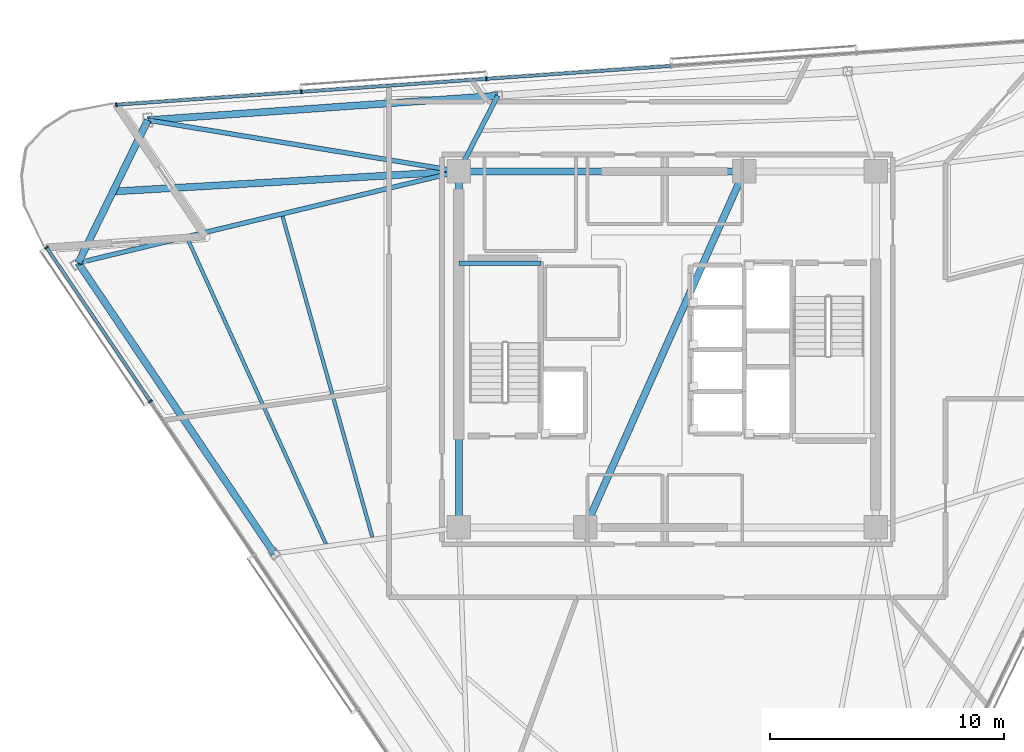
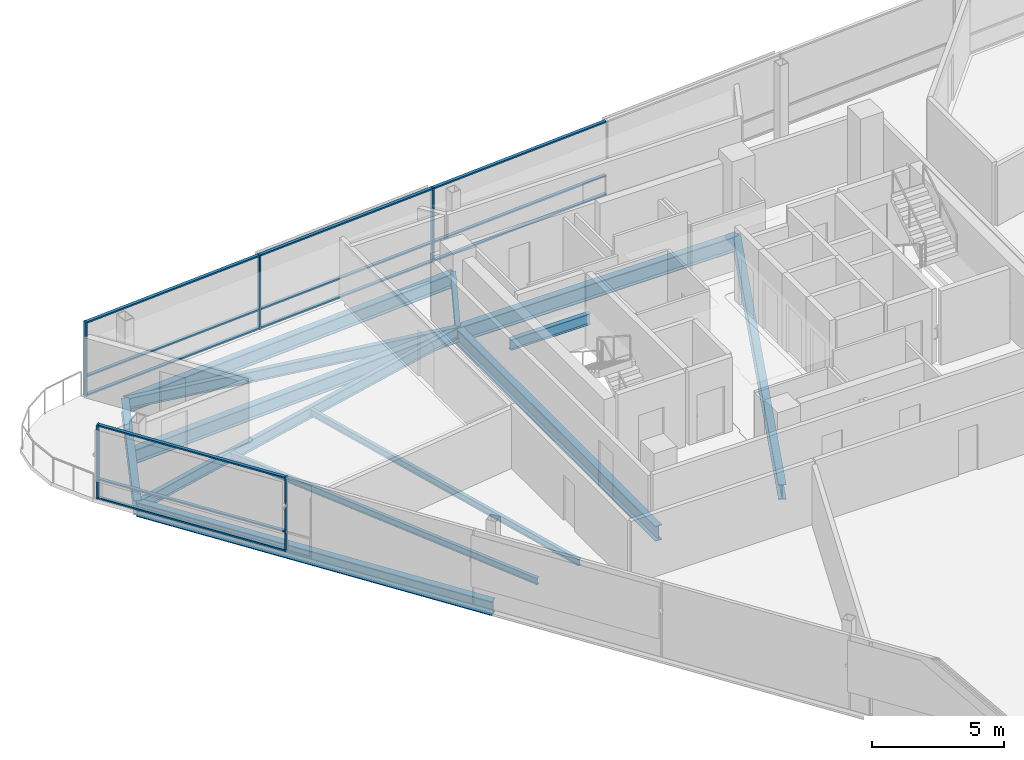
# One storey, part 5 of 16: 17 members, 13 beams, 2 elements without a shape of their own.
"""IFC4 building model written with IfcOpenShell, lengths in metres."""

from ifc_helpers import new_model, si_unit, direction, frame, origin, origin_2d, place, context, subcontext, project, spatial, rectangle, i_section, extrude, material, layer, layer_set, material_profile, profile_set, type_object, element, aggregate, save


model = new_model("IFC4")

# Units and contexts
model_context = context("Model", 3, precision=1e-05, world=origin(), true_north=direction((0.0, 1.0)))
body_context = subcontext(model_context, "Body", "Model", "MODEL_VIEW")
ifc_project = project(units=[si_unit("LENGTHUNIT", "METRE"), si_unit("AREAUNIT", "SQUARE_METRE"), si_unit("VOLUMEUNIT", "CUBIC_METRE"), si_unit("PLANEANGLEUNIT", "RADIAN"), si_unit("MASSUNIT", "GRAM", prefix="KILO")], contexts=[model_context])

# Site, building, storey
site_placement = place(None, origin())
site = spatial("IfcSite", under=ifc_project, at=site_placement, CompositionType="ELEMENT")
building_placement = place(site_placement, origin())
building = spatial("IfcBuilding", under=site, at=building_placement, Name="Tharavind Bronze Gate", CompositionType="ELEMENT")
storey_placement = place(building_placement, frame((0.0, 0.0, 257.0)))
storey = spatial("IfcBuildingStorey", under=building, at=storey_placement, Name="L66", CompositionType="ELEMENT", Elevation=257.0)

# Curtain wall, members
ifc_material_1 = material(Name="Anodised Bronze Aluminium", Category="aluminium")
ifc_layer = layer(ifc_material_1, 0.219970703125)
ifc_layer_set = layer_set([ifc_layer], Name="Anodised Bronze Aluminium")
curtain_wall_type = type_object("IfcCurtainWallType", Name="UNITISED CURTAIN WALL UPPER OFFICE", PredefinedType="USERDEFINED", material=ifc_layer_set)
curtain_wall_1_placement = place(storey_placement, origin())
curtain_wall_1 = element("IfcCurtainWall", 1, at=curtain_wall_1_placement, inside=storey, type_object=curtain_wall_type, Name="L66 unitised curtain wall upper office CW-L66-S1", ObjectType="UNITISED CURTAIN WALL", PredefinedType="USERDEFINED")
member_type_1 = type_object("IfcMemberType", Name="CURTAIN WALL BRONZE MULLION 65X180", PredefinedType="MULLION", material=ifc_material_1)
member_1_placement = place(storey_placement, frame((-26.498046875, 4.352294921875, 0.0), z_axis=(0.0, 0.0, 1.0), x_axis=(0.559191456526, -0.82903854853, 0.0)))
member_1 = element("IfcMember", 2, at=member_1_placement, type_object=member_type_1, Name="CW-L66-S1 mullion 1", PredefinedType="MULLION", context=body_context, shape_type="SweptSolid", body=[
    extrude(rectangle(XDim=0.06494140625, YDim=0.179931640625, at=origin_2d()), origin(), (0.0, 0.0, 1.0), 3.419921875),
])
member_2_placement = place(storey_placement, frame((-22.069091796875, -2.214111328125, 0.0), z_axis=(0.0, 0.0, 1.0), x_axis=(0.559191456526, -0.82903854853, 0.0)))
member_2 = element("IfcMember", 3, at=member_2_placement, type_object=member_type_1, Name="CW-L66-S1 mullion 2", PredefinedType="MULLION", context=body_context, shape_type="SweptSolid", body=[
    extrude(rectangle(XDim=0.06494140625, YDim=0.179931640625, at=origin_2d()), origin(), (0.0, 0.0, 1.0), 3.419921875),
])

curtain_wall_2_placement = place(storey_placement, origin())
curtain_wall_2 = element("IfcCurtainWall", 4, at=curtain_wall_2_placement, inside=storey, type_object=curtain_wall_type, Name="L66 unitised curtain wall upper office CW-L66-S3", ObjectType="UNITISED CURTAIN WALL", PredefinedType="USERDEFINED")
member_3_placement = place(storey_placement, frame((-7.7236328125, 11.551025390625, 0.0), z_axis=(0.0, 0.0, 1.0), x_axis=(-0.997563806758, -0.069759955899, 0.0)))
member_3 = element("IfcMember", 5, at=member_3_placement, type_object=member_type_1, Name="CW-L66-S3 mullion 5", PredefinedType="MULLION", context=body_context, shape_type="SweptSolid", body=[
    extrude(rectangle(XDim=0.06494140625, YDim=0.179931640625, at=origin_2d()), origin(), (0.0, 0.0, 1.0), 3.419921875),
])
member_4_placement = place(storey_placement, frame((-15.624755859375, 10.99853515625, 0.0), z_axis=(0.0, 0.0, 1.0), x_axis=(-0.997563806758, -0.069759955899, 0.0)))
member_4 = element("IfcMember", 6, at=member_4_placement, type_object=member_type_1, Name="CW-L66-S3 mullion 6", PredefinedType="MULLION", context=body_context, shape_type="SweptSolid", body=[
    extrude(rectangle(XDim=0.06494140625, YDim=0.179931640625, at=origin_2d()), origin(), (0.0, 0.0, 1.0), 3.419921875),
])
member_5_placement = place(storey_placement, frame((-23.52587890625, 10.446044921875, 0.0), z_axis=(0.0, 0.0, 1.0), x_axis=(-0.997563806758, -0.069759955899, 0.0)))
member_5 = element("IfcMember", 7, at=member_5_placement, type_object=member_type_1, Name="CW-L66-S3 mullion 7", PredefinedType="MULLION", context=body_context, shape_type="SweptSolid", body=[
    extrude(rectangle(XDim=0.06494140625, YDim=0.179931640625, at=origin_2d()), origin(), (0.0, 0.0, 1.0), 3.419921875),
])

# Member
member_type_2 = type_object("IfcMemberType", Name="CURTAIN WALL BRONZE TRANSOM 65X140", PredefinedType="USERDEFINED", material=ifc_material_1)
member_6_placement = place(storey_placement, frame((-24.283447265625, 1.069091796875, 0.0), z_axis=(0.0, 0.0, 1.0), x_axis=(0.559191456526, -0.82903854853, 0.0)))
member_6 = element("IfcMember", 8, at=member_6_placement, type_object=member_type_2, Name="CW-L66-S1 transom TB1", ObjectType="TRANSOM", PredefinedType="USERDEFINED", context=body_context, shape_type="SweptSolid", body=[
    extrude(rectangle(XDim=7.8671875, YDim=0.139892578125, at=origin_2d()), origin(), (0.0, 0.0, 1.0), 0.06494140625),
])

member_7_placement = place(storey_placement, frame((-24.283447265625, 1.069091796875, 0.867431640625), z_axis=(0.0, 0.0, 1.0), x_axis=(0.559191456526, -0.82903854853, 0.0)))
member_7 = element("IfcMember", 9, at=member_7_placement, type_object=member_type_2, Name="CW-L66-S1 transom TS1", ObjectType="TRANSOM", PredefinedType="USERDEFINED", context=body_context, shape_type="SweptSolid", body=[
    extrude(rectangle(XDim=7.8671875, YDim=0.139892578125, at=origin_2d()), origin(), (0.0, 0.0, 1.0), 0.06494140625),
])

member_8_placement = place(storey_placement, frame((-24.283447265625, 1.069091796875, 3.35498046875), z_axis=(0.0, 0.0, 1.0), x_axis=(0.559191456526, -0.82903854853, 0.0)))
member_8 = element("IfcMember", 10, at=member_8_placement, type_object=member_type_2, Name="CW-L66-S1 transom TT1", ObjectType="TRANSOM", PredefinedType="USERDEFINED", context=body_context, shape_type="SweptSolid", body=[
    extrude(rectangle(XDim=7.8671875, YDim=0.139892578125, at=origin_2d()), origin(), (0.0, 0.0, 1.0), 0.06494140625),
])

aggregate(curtain_wall_1, [member_1, member_2, member_6, member_7, member_8])

member_9_placement = place(storey_placement, frame((-3.773193359375, 11.827392578125, 0.0), z_axis=(0.0, 0.0, 1.0), x_axis=(-0.997563806758, -0.069759955899, 0.0)))
member_9 = element("IfcMember", 11, at=member_9_placement, type_object=member_type_2, Name="CW-L66-S3 transom TB4", ObjectType="TRANSOM", PredefinedType="USERDEFINED", context=body_context, shape_type="SweptSolid", body=[
    extrude(rectangle(XDim=7.8671875, YDim=0.139892578125, at=origin_2d()), origin(), (0.0, 0.0, 1.0), 0.06494140625),
])

member_10_placement = place(storey_placement, frame((-3.773193359375, 11.827392578125, 0.867431640625), z_axis=(0.0, 0.0, 1.0), x_axis=(-0.997563806758, -0.069759955899, 0.0)))
member_10 = element("IfcMember", 12, at=member_10_placement, type_object=member_type_2, Name="CW-L66-S3 transom TS4", ObjectType="TRANSOM", PredefinedType="USERDEFINED", context=body_context, shape_type="SweptSolid", body=[
    extrude(rectangle(XDim=7.8671875, YDim=0.139892578125, at=origin_2d()), origin(), (0.0, 0.0, 1.0), 0.06494140625),
])

member_11_placement = place(storey_placement, frame((-3.773193359375, 11.827392578125, 3.35498046875), z_axis=(0.0, 0.0, 1.0), x_axis=(-0.997563806758, -0.069759955899, 0.0)))
member_11 = element("IfcMember", 13, at=member_11_placement, type_object=member_type_2, Name="CW-L66-S3 transom TT4", ObjectType="TRANSOM", PredefinedType="USERDEFINED", context=body_context, shape_type="SweptSolid", body=[
    extrude(rectangle(XDim=7.8671875, YDim=0.139892578125, at=origin_2d()), origin(), (0.0, 0.0, 1.0), 0.06494140625),
])

member_12_placement = place(storey_placement, frame((-11.67431640625, 11.27490234375, 0.0), z_axis=(0.0, 0.0, 1.0), x_axis=(-0.997563806758, -0.069759955899, 0.0)))
member_12 = element("IfcMember", 14, at=member_12_placement, type_object=member_type_2, Name="CW-L66-S3 transom TB5", ObjectType="TRANSOM", PredefinedType="USERDEFINED", context=body_context, shape_type="SweptSolid", body=[
    extrude(rectangle(XDim=7.8671875, YDim=0.139892578125, at=origin_2d()), origin(), (0.0, 0.0, 1.0), 0.06494140625),
])

member_13_placement = place(storey_placement, frame((-11.67431640625, 11.27490234375, 0.867431640625), z_axis=(0.0, 0.0, 1.0), x_axis=(-0.997563806758, -0.069759955899, 0.0)))
member_13 = element("IfcMember", 15, at=member_13_placement, type_object=member_type_2, Name="CW-L66-S3 transom TS5", ObjectType="TRANSOM", PredefinedType="USERDEFINED", context=body_context, shape_type="SweptSolid", body=[
    extrude(rectangle(XDim=7.8671875, YDim=0.139892578125, at=origin_2d()), origin(), (0.0, 0.0, 1.0), 0.06494140625),
])

member_14_placement = place(storey_placement, frame((-11.67431640625, 11.27490234375, 3.35498046875), z_axis=(0.0, 0.0, 1.0), x_axis=(-0.997563806758, -0.069759955899, 0.0)))
member_14 = element("IfcMember", 16, at=member_14_placement, type_object=member_type_2, Name="CW-L66-S3 transom TT5", ObjectType="TRANSOM", PredefinedType="USERDEFINED", context=body_context, shape_type="SweptSolid", body=[
    extrude(rectangle(XDim=7.8671875, YDim=0.139892578125, at=origin_2d()), origin(), (0.0, 0.0, 1.0), 0.06494140625),
])

member_15_placement = place(storey_placement, frame((-19.5751953125, 10.722412109375, 0.0), z_axis=(0.0, 0.0, 1.0), x_axis=(-0.997563806758, -0.069759955899, 0.0)))
member_15 = element("IfcMember", 17, at=member_15_placement, type_object=member_type_2, Name="CW-L66-S3 transom TB6", ObjectType="TRANSOM", PredefinedType="USERDEFINED", context=body_context, shape_type="SweptSolid", body=[
    extrude(rectangle(XDim=7.8671875, YDim=0.139892578125, at=origin_2d()), origin(), (0.0, 0.0, 1.0), 0.06494140625),
])

member_16_placement = place(storey_placement, frame((-19.5751953125, 10.722412109375, 0.867431640625), z_axis=(0.0, 0.0, 1.0), x_axis=(-0.997563806758, -0.069759955899, 0.0)))
member_16 = element("IfcMember", 18, at=member_16_placement, type_object=member_type_2, Name="CW-L66-S3 transom TS6", ObjectType="TRANSOM", PredefinedType="USERDEFINED", context=body_context, shape_type="SweptSolid", body=[
    extrude(rectangle(XDim=7.8671875, YDim=0.139892578125, at=origin_2d()), origin(), (0.0, 0.0, 1.0), 0.06494140625),
])

member_17_placement = place(storey_placement, frame((-19.5751953125, 10.722412109375, 3.35498046875), z_axis=(0.0, 0.0, 1.0), x_axis=(-0.997563806758, -0.069759955899, 0.0)))
member_17 = element("IfcMember", 19, at=member_17_placement, type_object=member_type_2, Name="CW-L66-S3 transom TT6", ObjectType="TRANSOM", PredefinedType="USERDEFINED", context=body_context, shape_type="SweptSolid", body=[
    extrude(rectangle(XDim=7.8671875, YDim=0.139892578125, at=origin_2d()), origin(), (0.0, 0.0, 1.0), 0.06494140625),
])

aggregate(curtain_wall_2, [member_3, member_4, member_5, member_9, member_10, member_11, member_12, member_13, member_14, member_15, member_16, member_17])

# Beams
ifc_material_2 = material(Name="Steel S355", Category="steel")
ifc_material_profile_1 = material_profile(ifc_material_2, i_section(OverallWidth=0.300048828125, OverallDepth=0.64990234375, WebThickness=0.01611328125, FlangeThickness=0.031005859375, at=origin_2d()), Name="HE650B")
ifc_profile_set_1 = profile_set([ifc_material_profile_1], Name="Steel S355")
beam_type_1 = type_object("IfcBeamType", Name="PRIMARY GIRDER HE650B", PredefinedType="USERDEFINED", material=ifc_profile_set_1)
beam_1_placement = place(storey_placement, frame((-25.14990234375, 3.694580078125, -0.5048828125), z_axis=(0.559195614283, -0.829035744083, 0.0), x_axis=(0.829035744083, 0.559195614283, 0.0)))
element("IfcBeam", 20, at=beam_1_placement, inside=storey, type_object=beam_type_1, Name="L66 primary girder he650b BM-L66-PRG01", ObjectType="GIRDER", PredefinedType="USERDEFINED", context=body_context, shape_type="SweptSolid", body=[
    extrude(i_section(OverallWidth=0.300048828125, OverallDepth=0.64990234375, WebThickness=0.01611328125, FlangeThickness=0.031005859375, at=origin_2d()), origin(), (0.0, 0.0, 1.0), 14.974609375),
])
beam_2_placement = place(storey_placement, frame((-7.239501953125, 10.8330078125, -0.5048828125), z_axis=(-0.997564665038, -0.069747681447, 0.0), x_axis=(0.069747681447, -0.997564665038, 0.0)))
element("IfcBeam", 21, at=beam_2_placement, inside=storey, type_object=beam_type_1, Name="L66 primary girder he650b BM-L66-PRG11", ObjectType="GIRDER", PredefinedType="USERDEFINED", context=body_context, shape_type="SweptSolid", body=[
    extrude(i_section(OverallWidth=0.300048828125, OverallDepth=0.64990234375, WebThickness=0.01611328125, FlangeThickness=0.031005859375, at=origin_2d()), origin(), (0.0, 0.0, 1.0), 14.974365234375),
])
beam_3_placement = place(storey_placement, frame((-22.177490234375, 9.78857421875, -0.5048828125), z_axis=(-0.438391707719, -0.898784017772, 0.0), x_axis=(0.898784017772, -0.438391707719, 0.0)))
element("IfcBeam", 22, at=beam_3_placement, inside=storey, type_object=beam_type_1, Name="L66 primary girder he650b BM-L66-PRG12", ObjectType="GIRDER", PredefinedType="USERDEFINED", context=body_context, shape_type="SweptSolid", body=[
    extrude(i_section(OverallWidth=0.300048828125, OverallDepth=0.64990234375, WebThickness=0.01611328125, FlangeThickness=0.031005859375, at=origin_2d()), origin(), (0.0, 0.0, 1.0), 6.7802734375),
])
beam_4_placement = place(storey_placement, frame((-8.89990234375, 7.60009765625, -0.5048828125), z_axis=(-0.998314047526, -0.058043625934, 0.0), x_axis=(0.058043625934, -0.998314047526, 0.0)))
element("IfcBeam", 23, at=beam_4_placement, inside=storey, type_object=beam_type_1, Name="L66 primary girder he650b BM-L66-BLCSB", ObjectType="GIRDER", PredefinedType="USERDEFINED", context=body_context, shape_type="SweptSolid", body=[
    extrude(i_section(OverallWidth=0.300048828125, OverallDepth=0.64990234375, WebThickness=0.01611328125, FlangeThickness=0.031005859375, at=origin_2d()), origin(), (0.0, 0.0, 1.0), 14.788818359375),
])
ifc_material_profile_2 = material_profile(ifc_material_2, i_section(OverallWidth=0.199951171875, OverallDepth=0.5, WebThickness=0.01025390625, FlangeThickness=0.01611328125, at=origin_2d()), Name="IPE500")
ifc_profile_set_2 = profile_set([ifc_material_profile_2], Name="Steel S355")
beam_type_2 = type_object("IfcBeamType", Name="PRIMARY GIRDER IPE500", PredefinedType="USERDEFINED", material=ifc_profile_set_2)
beam_5_placement = place(storey_placement, frame((-8.89990234375, 3.679931640625, 1.35009765625), z_axis=(1.0, 0.0, 0.0), x_axis=(0.0, 1.0, 0.0)))
element("IfcBeam", 24, at=beam_5_placement, inside=storey, type_object=beam_type_2, Name="L66 primary girder ipe500 BM-LD-ST1-L66-1", ObjectType="GIRDER", PredefinedType="USERDEFINED", context=body_context, shape_type="SweptSolid", body=[
    extrude(i_section(OverallWidth=0.199951171875, OverallDepth=0.5, WebThickness=0.01025390625, FlangeThickness=0.01611328125, at=origin_2d()), origin(), (0.0, 0.0, 1.0), 3.5),
])
beam_6_placement = place(storey_placement, frame((-25.14990234375, 3.694580078125, -0.429931640625), z_axis=(0.97231233309, 0.23368510205, 0.0), x_axis=(-0.23368510205, 0.97231233309, 0.0)))
element("IfcBeam", 25, at=beam_6_placement, inside=storey, type_object=beam_type_2, Name="L66 primary girder ipe500 BM-L66-RAD01", ObjectType="GIRDER", PredefinedType="USERDEFINED", context=body_context, shape_type="SweptSolid", body=[
    extrude(i_section(OverallWidth=0.199951171875, OverallDepth=0.5, WebThickness=0.01025390625, FlangeThickness=0.01611328125, at=origin_2d()), origin(), (0.0, 0.0, 1.0), 16.712646484375),
])
beam_7_placement = place(storey_placement, frame((-7.239501953125, 10.8330078125, -0.429931640625), z_axis=(-0.45686071546, -0.889538243511, 0.0), x_axis=(0.889538243511, -0.45686071546, 0.0)))
element("IfcBeam", 26, at=beam_7_placement, inside=storey, type_object=beam_type_2, Name="L66 primary girder ipe500 BM-L66-RAD11", ObjectType="GIRDER", PredefinedType="USERDEFINED", context=body_context, shape_type="SweptSolid", body=[
    extrude(i_section(OverallWidth=0.199951171875, OverallDepth=0.5, WebThickness=0.01025390625, FlangeThickness=0.01611328125, at=origin_2d()), origin(), (0.0, 0.0, 1.0), 3.63427734375),
])
beam_8_placement = place(storey_placement, frame((-22.177490234375, 9.78857421875, -0.429931640625), z_axis=(0.986687034236, -0.16263055208, 0.0), x_axis=(0.16263055208, 0.986687034236, 0.0)))
element("IfcBeam", 27, at=beam_8_placement, inside=storey, type_object=beam_type_2, Name="L66 primary girder ipe500 BM-L66-RAD12", ObjectType="GIRDER", PredefinedType="USERDEFINED", context=body_context, shape_type="SweptSolid", body=[
    extrude(i_section(OverallWidth=0.199951171875, OverallDepth=0.5, WebThickness=0.01025390625, FlangeThickness=0.01611328125, at=origin_2d()), origin(), (0.0, 0.0, 1.0), 13.456787109375),
])
ifc_material_profile_3 = material_profile(ifc_material_2, i_section(OverallWidth=0.300048828125, OverallDepth=0.699951171875, WebThickness=0.01708984375, FlangeThickness=0.031982421875, at=origin_2d()), Name="HE700B")
ifc_profile_set_3 = profile_set([ifc_material_profile_3], Name="Steel S355")
beam_type_3 = type_object("IfcBeamType", Name="RING GIRDER HE700B", PredefinedType="USERDEFINED", material=ifc_profile_set_3)
beam_9_placement = place(storey_placement, frame((3.280029296875, 7.60009765625, -0.530029296875), z_axis=(-1.0, 0.0, 0.0), x_axis=(0.0, -1.0, 0.0)))
element("IfcBeam", 28, at=beam_9_placement, inside=storey, type_object=beam_type_3, Name="L66 ring girder he700b BM-L66-CR5", ObjectType="GIRDER", PredefinedType="USERDEFINED", context=body_context, shape_type="SweptSolid", body=[
    extrude(i_section(OverallWidth=0.300048828125, OverallDepth=0.699951171875, WebThickness=0.01708984375, FlangeThickness=0.031982421875, at=origin_2d()), origin(), (0.0, 0.0, 1.0), 12.179931640625),
])
beam_10_placement = place(storey_placement, frame((-8.89990234375, 7.60009765625, -0.530029296875), z_axis=(0.0, -1.0, 0.0), x_axis=(1.0, 0.0, 0.0)))
element("IfcBeam", 29, at=beam_10_placement, inside=storey, type_object=beam_type_3, Name="L66 ring girder he700b BM-L66-CR6", ObjectType="GIRDER", PredefinedType="USERDEFINED", context=body_context, shape_type="SweptSolid", body=[
    extrude(i_section(OverallWidth=0.300048828125, OverallDepth=0.699951171875, WebThickness=0.01708984375, FlangeThickness=0.031982421875, at=origin_2d()), origin(), (0.0, 0.0, 1.0), 15.2001953125),
])
beam_11_placement = place(storey_placement, frame((-3.5, -7.60009765625, -0.530029296875), z_axis=(0.407361644566, 0.913266932795, 0.0), x_axis=(-0.913266932795, 0.407361644566, 0.0)))
element("IfcBeam", 30, at=beam_11_placement, inside=storey, type_object=beam_type_3, Name="L66 ring girder he700b BM-L66-CR7", ObjectType="GIRDER", PredefinedType="USERDEFINED", context=body_context, shape_type="SweptSolid", body=[
    extrude(i_section(OverallWidth=0.300048828125, OverallDepth=0.699951171875, WebThickness=0.01708984375, FlangeThickness=0.031982421875, at=origin_2d()), origin(), (0.0, 0.0, 1.0), 16.643798828125),
])
ifc_material_profile_4 = material_profile(ifc_material_2, i_section(OverallWidth=0.14990234375, OverallDepth=0.300048828125, WebThickness=0.007080078125, FlangeThickness=0.0107421875, at=origin_2d()), Name="IPE300")
ifc_profile_set_4 = profile_set([ifc_material_profile_4], Name="Steel S355")
beam_type_4 = type_object("IfcBeamType", Name="SECONDARY FLOOR JOIST IPE300", PredefinedType="JOIST", material=ifc_profile_set_4)
beam_12_placement = place(storey_placement, frame((-16.427978515625, 5.683837890625, -0.330078125), z_axis=(0.26963947071, -0.96296134701, 0.0), x_axis=(0.96296134701, 0.26963947071, 0.0)))
element("IfcBeam", 31, at=beam_12_placement, inside=storey, type_object=beam_type_4, Name="L66 secondary floor joist ipe300 BM-L66-JSTA01", PredefinedType="JOIST", context=body_context, shape_type="SweptSolid", body=[
    extrude(i_section(OverallWidth=0.14990234375, OverallDepth=0.300048828125, WebThickness=0.007080078125, FlangeThickness=0.0107421875, at=origin_2d()), origin(), (0.0, 0.0, 1.0), 14.230712890625),
])
beam_13_placement = place(storey_placement, frame((-20.47509765625, 4.711181640625, -0.330078125), z_axis=(0.412859068065, -0.910794921987, 0.0), x_axis=(0.910794921987, 0.412859068065, 0.0)))
element("IfcBeam", 32, at=beam_13_placement, inside=storey, type_object=beam_type_4, Name="L66 secondary floor joist ipe300 BM-L66-JSTB01", PredefinedType="JOIST", context=body_context, shape_type="SweptSolid", body=[
    extrude(i_section(OverallWidth=0.14990234375, OverallDepth=0.300048828125, WebThickness=0.007080078125, FlangeThickness=0.0107421875, at=origin_2d()), origin(), (0.0, 0.0, 1.0), 14.2880859375),
])

save(model, "model.ifc")
